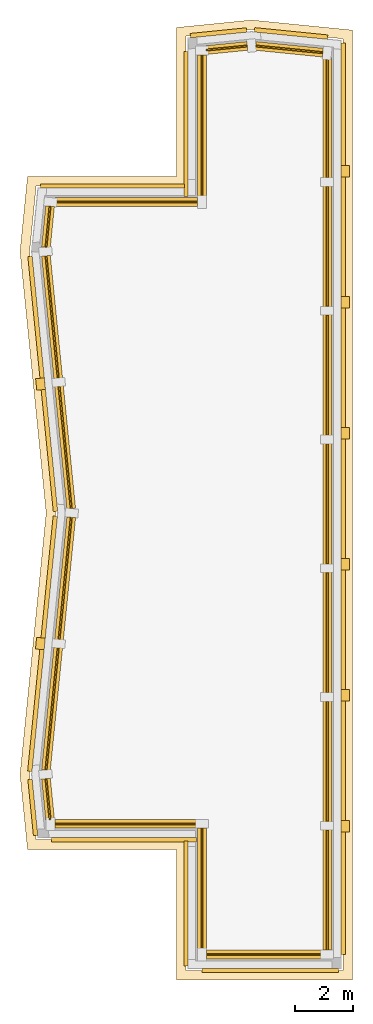
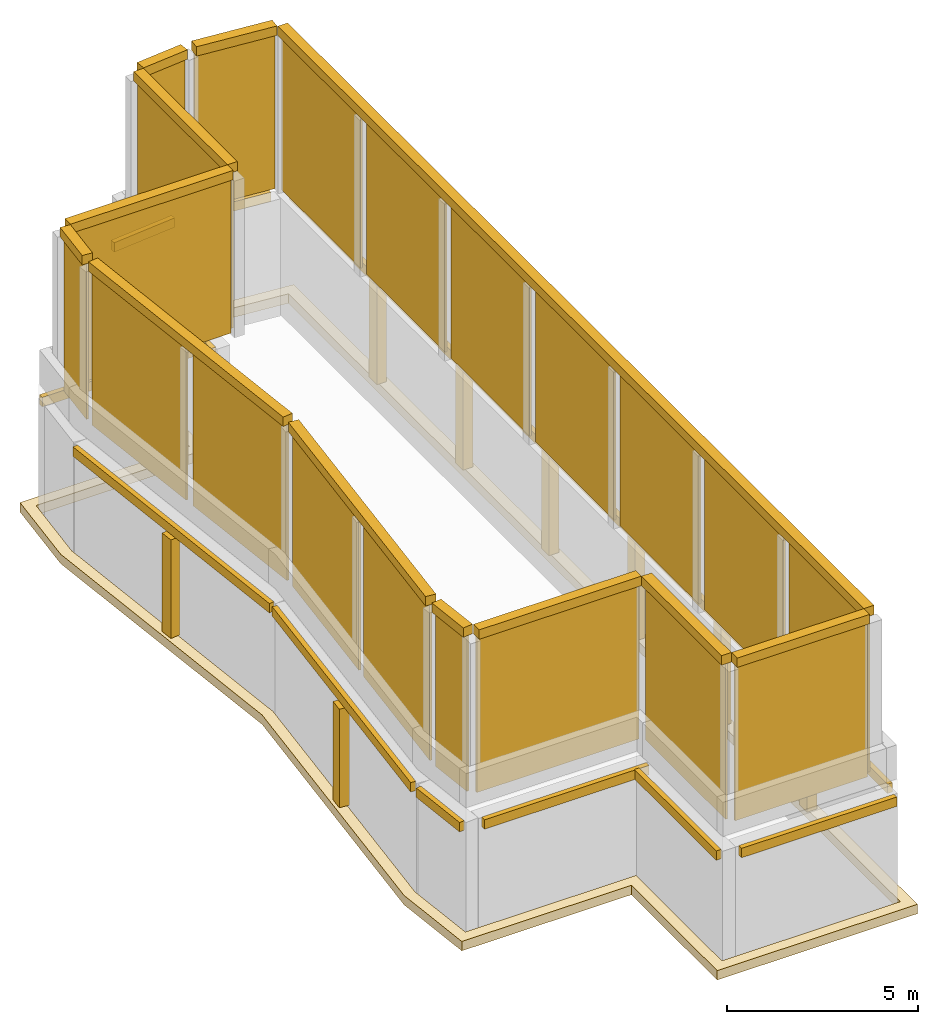
# One storey, part 2 of 2: 52 coverings.
"""IFC4 building model written with IfcOpenShell, lengths in metres."""

from ifc_helpers import new_model, si_unit, direction, frame, origin, origin_2d, place, context, subcontext, project, spatial, polyline, rectangle, outline, extrude, material, layer, layer_set, material_profile, profile_set, type_object, element, save


model = new_model("IFC4")

# Units and contexts
model_context = context("Model", 3, precision=1e-05, world=origin(), true_north=direction((0.0, 1.0)))
body_context = subcontext(model_context, "Body", "Model", "MODEL_VIEW")
ifc_project = project(units=[si_unit("LENGTHUNIT", "METRE"), si_unit("AREAUNIT", "SQUARE_METRE"), si_unit("VOLUMEUNIT", "CUBIC_METRE"), si_unit("PLANEANGLEUNIT", "RADIAN"), si_unit("MASSUNIT", "GRAM", prefix="KILO")], contexts=[model_context])

# Site, building, storey
site_placement = place(None, origin())
site = spatial("IfcSite", under=ifc_project, at=site_placement, CompositionType="ELEMENT")
building_placement = place(site_placement, origin())
building = spatial("IfcBuilding", under=site, at=building_placement, Name="Brondeck Convention Tower", CompositionType="ELEMENT")
storey_placement = place(building_placement, frame((0.0, 0.0, 315.300048828125)))
storey = spatial("IfcBuildingStorey", under=building, at=storey_placement, Name="ROOF 2", CompositionType="ELEMENT", Elevation=315.300048828125)

# Coverings
ifc_material_1 = material(Name="Precast concrete C50/60", Category="concrete")
ifc_material_profile = material_profile(ifc_material_1, rectangle(XDim=0.300048828125, YDim=0.300048828125, at=origin_2d()), Name="Crown cap 300 x 300 Precast concrete C50/60")
ifc_profile_set = profile_set([ifc_material_profile], Name="Precast concrete C50/60")
covering_type_1 = type_object("IfcCoveringType", Name="Crown cap 300 x 300 Precast concrete C50/60", PredefinedType="MOLDING", material=ifc_profile_set)
covering_1_placement = place(storey_placement, frame((7.445068359375, 29.794921875, 9.349853515625), z_axis=(1.0, 0.0, 0.0), x_axis=(0.0, 1.0, 0.0)))
element("IfcCovering", 1, at=covering_1_placement, inside=storey, type_object=covering_type_1, Name="ENV-CB-K1-T2-00", PredefinedType="MOLDING", context=body_context, shape_type="SweptSolid", body=[
    extrude(rectangle(XDim=0.300048828125, YDim=0.300048828125, at=origin_2d()), origin(), (0.0, 0.0, 1.0), 4.010009765625),
])
covering_2_placement = place(storey_placement, frame((11.60498046875, 29.945068359375, 9.349853515625), z_axis=(0.0, 1.0, 0.0), x_axis=(-1.0, 0.0, 0.0)))
element("IfcCovering", 2, at=covering_2_placement, inside=storey, type_object=covering_type_1, Name="ENV-CB-K1-T2-01", PredefinedType="MOLDING", context=body_context, shape_type="SweptSolid", body=[
    extrude(rectangle(XDim=0.300048828125, YDim=0.300048828125, at=origin_2d()), origin(), (0.0, 0.0, 1.0), 30.735595703125),
])
covering_3_placement = place(storey_placement, frame((11.455810546875, 60.845458984375, 9.349853515625), z_axis=(-0.995034061162, 0.09953500453, 0.0), x_axis=(-0.09953500453, -0.995034061162, 0.0)))
element("IfcCovering", 3, at=covering_3_placement, inside=storey, type_object=covering_type_1, Name="ENV-CB-K1-T2-02", PredefinedType="MOLDING", context=body_context, shape_type="SweptSolid", body=[
    extrude(rectangle(XDim=0.300048828125, YDim=0.300048828125, at=origin_2d()), origin(), (0.0, 0.0, 1.0), 2.31787109375),
])
covering_4_placement = place(storey_placement, frame((8.8505859375, 61.076171875, 9.349853515625), z_axis=(-0.99503719021, -0.099503719021, 0.0), x_axis=(0.099503719021, -0.99503719021, 0.0)))
element("IfcCovering", 4, at=covering_4_placement, inside=storey, type_object=covering_type_1, Name="ENV-CB-K1-T2-03", PredefinedType="MOLDING", context=body_context, shape_type="SweptSolid", body=[
    extrude(rectangle(XDim=0.300048828125, YDim=0.300048828125, at=origin_2d()), origin(), (0.0, 0.0, 1.0), 1.413330078125),
])
for number, where, z_axis, x_axis, name in (
    (5, (7.294921875, 60.7705078125, 9.349853515625), (0.0, -1.0, 0.0), (1.0, 0.0, 0.0), "ENV-CB-K1-T2-04"),
    (6, (7.14501953125, 55.705078125, 9.349853515625), (-1.0, 0.0, 0.0), (0.0, -1.0, 0.0), "ENV-CB-K1-T2-05"),
):
    element("IfcCovering", number, at=place(storey_placement, frame(where, z_axis=z_axis, x_axis=x_axis)), inside=storey, type_object=covering_type_1, Name=name, PredefinedType="MOLDING", context=body_context, shape_type="SweptSolid", body=[
        extrude(rectangle(XDim=0.300048828125, YDim=0.300048828125, at=origin_2d()), origin(), (0.0, 0.0, 1.0), 4.91552734375),
    ])
covering_5_placement = place(storey_placement, frame((2.064453125, 55.5556640625, 9.349853515625), z_axis=(-0.099503719021, -0.99503719021, 0.0), x_axis=(0.99503719021, -0.099503719021, 0.0)))
element("IfcCovering", 7, at=covering_5_placement, inside=storey, type_object=covering_type_1, Name="ENV-CB-K1-T2-06", PredefinedType="MOLDING", context=body_context, shape_type="SweptSolid", body=[
    extrude(rectangle(XDim=0.300048828125, YDim=0.300048828125, at=origin_2d()), origin(), (0.0, 0.0, 1.0), 1.413330078125),
])
for number, where, z_axis, x_axis, name in (
    (8, (1.923828125, 53.8505859375, 9.349853515625), (0.099503719021, -0.99503719021, 0.0), (0.99503719021, 0.099503719021, 0.0), "ENV-CB-K1-T2-07"),
    (9, (2.7939453125, 44.8505859375, 9.349853515625), (-0.099503719021, -0.99503719021, 0.0), (0.99503719021, -0.099503719021, 0.0), "ENV-CB-K1-T2-08"),
):
    element("IfcCovering", number, at=place(storey_placement, frame(where, z_axis=z_axis, x_axis=x_axis)), inside=storey, type_object=covering_type_1, Name=name, PredefinedType="MOLDING", context=body_context, shape_type="SweptSolid", body=[
        extrude(rectangle(XDim=0.300048828125, YDim=0.300048828125, at=origin_2d()), origin(), (0.0, 0.0, 1.0), 8.74462890625),
    ])
covering_6_placement = place(storey_placement, frame((1.923828125, 35.8505859375, 9.349853515625), z_axis=(0.099503719021, -0.99503719021, 0.0), x_axis=(0.99503719021, 0.099503719021, 0.0)))
element("IfcCovering", 10, at=covering_6_placement, inside=storey, type_object=covering_type_1, Name="ENV-CB-K1-T2-09", PredefinedType="MOLDING", context=body_context, shape_type="SweptSolid", body=[
    extrude(rectangle(XDim=0.300048828125, YDim=0.300048828125, at=origin_2d()), origin(), (0.0, 0.0, 1.0), 1.413330078125),
])
covering_7_placement = place(storey_placement, frame((2.2294921875, 34.294921875, 9.349853515625), z_axis=(1.0, 0.0, 0.0), x_axis=(0.0, 1.0, 0.0)))
element("IfcCovering", 11, at=covering_7_placement, inside=storey, type_object=covering_type_1, Name="ENV-CB-K1-T2-10", PredefinedType="MOLDING", context=body_context, shape_type="SweptSolid", body=[
    extrude(rectangle(XDim=0.300048828125, YDim=0.300048828125, at=origin_2d()), origin(), (0.0, 0.0, 1.0), 4.91552734375),
])
covering_8_placement = place(storey_placement, frame((7.294921875, 34.14501953125, 9.349853515625), z_axis=(0.0, -1.0, 0.0), x_axis=(1.0, 0.0, 0.0)))
element("IfcCovering", 12, at=covering_8_placement, inside=storey, type_object=covering_type_1, Name="ENV-CB-K1-T2-11", PredefinedType="MOLDING", context=body_context, shape_type="SweptSolid", body=[
    extrude(rectangle(XDim=0.300048828125, YDim=0.300048828125, at=origin_2d()), origin(), (0.0, 0.0, 1.0), 4.199951171875),
])
ifc_material_2 = material(Name="Aluminium, bronze anodised", Category="aluminium")
ifc_layer_1 = layer(ifc_material_2, 0.06005859375)
ifc_layer_set_1 = layer_set([ifc_layer_1], Name="Crown louvre panel, bronze anodised aluminium")
covering_type_2 = type_object("IfcCoveringType", Name="Crown louvre panel, bronze anodised aluminium", PredefinedType="CLADDING", material=ifc_layer_set_1)
covering_9_placement = place(storey_placement, frame((0.0, 0.0, 4.219970703125)))
element("IfcCovering", 13, at=covering_9_placement, inside=storey, type_object=covering_type_2, Name="ENV-CL-K1-T2-00-0", PredefinedType="CLADDING", context=body_context, shape_type="SweptSolid", body=[
    extrude(outline(polyline([(11.455078125, 29.824951171875), (7.445068359375, 29.824951171875), (7.445068359375, 29.764892578125), (11.455078125, 29.764892578125), (11.455078125, 29.824951171875)])), origin(), (0.0, 0.0, 1.0), 4.97998046875),
])
covering_10_placement = place(storey_placement, frame((0.0, 0.0, 4.219970703125)))
element("IfcCovering", 14, at=covering_10_placement, inside=storey, type_object=covering_type_2, Name="ENV-CL-K1-T2-01-0", PredefinedType="CLADDING", context=body_context, shape_type="SweptSolid", body=[
    extrude(outline(polyline([(11.574951171875, 34.07861328125), (11.574951171875, 29.945068359375), (11.635009765625, 29.945068359375), (11.635009765625, 34.07861328125), (11.574951171875, 34.07861328125)])), origin(), (0.0, 0.0, 1.0), 4.97998046875),
])
covering_11_placement = place(storey_placement, frame((0.0, 0.0, 4.219970703125)))
element("IfcCovering", 15, at=covering_11_placement, inside=storey, type_object=covering_type_2, Name="ENV-CL-K1-T2-01-1", PredefinedType="CLADDING", context=body_context, shape_type="SweptSolid", body=[
    extrude(outline(polyline([(11.574951171875, 38.51220703125), (11.574951171875, 34.378662109375), (11.635009765625, 34.378662109375), (11.635009765625, 38.51220703125), (11.574951171875, 38.51220703125)])), origin(), (0.0, 0.0, 1.0), 4.97998046875),
])
covering_12_placement = place(storey_placement, frame((0.0, 0.0, 4.219970703125)))
element("IfcCovering", 16, at=covering_12_placement, inside=storey, type_object=covering_type_2, Name="ENV-CL-K1-T2-01-2", PredefinedType="CLADDING", context=body_context, shape_type="SweptSolid", body=[
    extrude(outline(polyline([(11.574951171875, 42.946044921875), (11.574951171875, 38.812255859375), (11.635009765625, 38.812255859375), (11.635009765625, 42.946044921875), (11.574951171875, 42.946044921875)])), origin(), (0.0, 0.0, 1.0), 4.97998046875),
])
covering_13_placement = place(storey_placement, frame((0.0, 0.0, 4.219970703125)))
element("IfcCovering", 17, at=covering_13_placement, inside=storey, type_object=covering_type_2, Name="ENV-CL-K1-T2-01-3", PredefinedType="CLADDING", context=body_context, shape_type="SweptSolid", body=[
    extrude(outline(polyline([(11.574951171875, 47.379638671875), (11.574951171875, 43.24609375), (11.635009765625, 43.24609375), (11.635009765625, 47.379638671875), (11.574951171875, 47.379638671875)])), origin(), (0.0, 0.0, 1.0), 4.97998046875),
])
covering_14_placement = place(storey_placement, frame((0.0, 0.0, 4.219970703125)))
element("IfcCovering", 18, at=covering_14_placement, inside=storey, type_object=covering_type_2, Name="ENV-CL-K1-T2-01-4", PredefinedType="CLADDING", context=body_context, shape_type="SweptSolid", body=[
    extrude(outline(polyline([(11.574951171875, 51.813232421875), (11.574951171875, 47.6796875), (11.635009765625, 47.6796875), (11.635009765625, 51.813232421875), (11.574951171875, 51.813232421875)])), origin(), (0.0, 0.0, 1.0), 4.97998046875),
])
covering_15_placement = place(storey_placement, frame((0.0, 0.0, 4.219970703125)))
element("IfcCovering", 19, at=covering_15_placement, inside=storey, type_object=covering_type_2, Name="ENV-CL-K1-T2-01-5", PredefinedType="CLADDING", context=body_context, shape_type="SweptSolid", body=[
    extrude(outline(polyline([(11.574951171875, 56.246826171875), (11.574951171875, 52.11328125), (11.635009765625, 52.11328125), (11.635009765625, 56.246826171875), (11.574951171875, 56.246826171875)])), origin(), (0.0, 0.0, 1.0), 4.97998046875),
])
covering_16_placement = place(storey_placement, frame((0.0, 0.0, 4.219970703125)))
element("IfcCovering", 20, at=covering_16_placement, inside=storey, type_object=covering_type_2, Name="ENV-CL-K1-T2-01-6", PredefinedType="CLADDING", context=body_context, shape_type="SweptSolid", body=[
    extrude(outline(polyline([(11.574951171875, 60.6806640625), (11.574951171875, 56.546875), (11.635009765625, 56.546875), (11.635009765625, 60.6806640625), (11.574951171875, 60.6806640625)])), origin(), (0.0, 0.0, 1.0), 4.97998046875),
])
covering_17_placement = place(storey_placement, frame((0.0, 0.0, 4.219970703125)))
element("IfcCovering", 21, at=covering_17_placement, inside=storey, type_object=covering_type_2, Name="ENV-CL-K1-T2-02-0", PredefinedType="CLADDING", context=body_context, shape_type="SweptSolid", body=[
    extrude(outline(polyline([(9.146240234375, 61.04638671875), (11.452880859375, 60.815673828125), (11.458740234375, 60.875244140625), (9.152099609375, 61.10595703125), (9.146240234375, 61.04638671875)])), origin(), (0.0, 0.0, 1.0), 4.97998046875),
])
covering_18_placement = place(storey_placement, frame((0.0, 0.0, 4.219970703125)))
element("IfcCovering", 22, at=covering_18_placement, inside=storey, type_object=covering_type_2, Name="ENV-CL-K1-T2-03-0", PredefinedType="CLADDING", context=body_context, shape_type="SweptSolid", body=[
    extrude(outline(polyline([(7.447265625, 60.905517578125), (8.853759765625, 61.04638671875), (8.847900390625, 61.10595703125), (7.44140625, 60.96533203125), (7.447265625, 60.905517578125)])), origin(), (0.0, 0.0, 1.0), 4.97998046875),
])
covering_19_placement = place(storey_placement, frame((0.0, 0.0, 4.219970703125)))
element("IfcCovering", 23, at=covering_19_placement, inside=storey, type_object=covering_type_2, Name="ENV-CL-K1-T2-04-0", PredefinedType="CLADDING", context=body_context, shape_type="SweptSolid", body=[
    extrude(outline(polyline([(7.324951171875, 55.85498046875), (7.324951171875, 60.7705078125), (7.264892578125, 60.7705078125), (7.264892578125, 55.85498046875), (7.324951171875, 55.85498046875)])), origin(), (0.0, 0.0, 1.0), 4.97998046875),
])
covering_20_placement = place(storey_placement, frame((0.0, 0.0, 4.219970703125)))
element("IfcCovering", 24, at=covering_20_placement, inside=storey, type_object=covering_type_2, Name="ENV-CL-K1-T2-05-0", PredefinedType="CLADDING", context=body_context, shape_type="SweptSolid", body=[
    extrude(outline(polyline([(2.2294921875, 55.675048828125), (7.14501953125, 55.675048828125), (7.14501953125, 55.735107421875), (2.2294921875, 55.735107421875), (2.2294921875, 55.675048828125)])), origin(), (0.0, 0.0, 1.0), 4.97998046875),
])
covering_21_placement = place(storey_placement, frame((0.0, 0.0, 4.219970703125)))
element("IfcCovering", 25, at=covering_21_placement, inside=storey, type_object=covering_type_2, Name="ENV-CL-K1-T2-06-0", PredefinedType="CLADDING", context=body_context, shape_type="SweptSolid", body=[
    extrude(outline(polyline([(1.95361328125, 54.146240234375), (2.094482421875, 55.552734375), (2.03466796875, 55.55859375), (1.89404296875, 54.152099609375), (1.95361328125, 54.146240234375)])), origin(), (0.0, 0.0, 1.0), 4.97998046875),
])
covering_22_placement = place(storey_placement, frame((0.0, 0.0, 4.219970703125)))
element("IfcCovering", 26, at=covering_22_placement, inside=storey, type_object=covering_type_2, Name="ENV-CL-K1-T2-07-0", PredefinedType="CLADDING", context=body_context, shape_type="SweptSolid", body=[
    extrude(outline(polyline([(2.373779296875, 49.652099609375), (1.95361328125, 53.853759765625), (1.89404296875, 53.847900390625), (2.314208984375, 49.646240234375), (2.373779296875, 49.652099609375)])), origin(), (0.0, 0.0, 1.0), 4.97998046875),
])
covering_23_placement = place(storey_placement, frame((0.0, 0.0, 4.219970703125)))
element("IfcCovering", 27, at=covering_23_placement, inside=storey, type_object=covering_type_2, Name="ENV-CL-K1-T2-07-1", PredefinedType="CLADDING", context=body_context, shape_type="SweptSolid", body=[
    extrude(outline(polyline([(2.823974609375, 45.152099609375), (2.40380859375, 49.353759765625), (2.343994140625, 49.347900390625), (2.76416015625, 45.146240234375), (2.823974609375, 45.152099609375)])), origin(), (0.0, 0.0, 1.0), 4.97998046875),
])
covering_24_placement = place(storey_placement, frame((0.0, 0.0, 4.219970703125)))
element("IfcCovering", 28, at=covering_24_placement, inside=storey, type_object=covering_type_2, Name="ENV-CL-K1-T2-08-0", PredefinedType="CLADDING", context=body_context, shape_type="SweptSolid", body=[
    extrude(outline(polyline([(2.40380859375, 40.646240234375), (2.823974609375, 44.847900390625), (2.76416015625, 44.853759765625), (2.343994140625, 40.652099609375), (2.40380859375, 40.646240234375)])), origin(), (0.0, 0.0, 1.0), 4.97998046875),
])
covering_25_placement = place(storey_placement, frame((0.0, 0.0, 4.219970703125)))
element("IfcCovering", 29, at=covering_25_placement, inside=storey, type_object=covering_type_2, Name="ENV-CL-K1-T2-08-1", PredefinedType="CLADDING", context=body_context, shape_type="SweptSolid", body=[
    extrude(outline(polyline([(1.95361328125, 36.146240234375), (2.373779296875, 40.347900390625), (2.314208984375, 40.353759765625), (1.89404296875, 36.152099609375), (1.95361328125, 36.146240234375)])), origin(), (0.0, 0.0, 1.0), 4.97998046875),
])
covering_26_placement = place(storey_placement, frame((0.0, 0.0, 4.219970703125)))
element("IfcCovering", 30, at=covering_26_placement, inside=storey, type_object=covering_type_2, Name="ENV-CL-K1-T2-09-0", PredefinedType="CLADDING", context=body_context, shape_type="SweptSolid", body=[
    extrude(outline(polyline([(2.094482421875, 34.447265625), (1.95361328125, 35.853759765625), (1.89404296875, 35.847900390625), (2.03466796875, 34.44140625), (2.094482421875, 34.447265625)])), origin(), (0.0, 0.0, 1.0), 4.97998046875),
])
covering_27_placement = place(storey_placement, frame((0.0, 0.0, 4.219970703125)))
element("IfcCovering", 31, at=covering_27_placement, inside=storey, type_object=covering_type_2, Name="ENV-CL-K1-T2-10-0", PredefinedType="CLADDING", context=body_context, shape_type="SweptSolid", body=[
    extrude(outline(polyline([(7.14501953125, 34.324951171875), (2.2294921875, 34.324951171875), (2.2294921875, 34.264892578125), (7.14501953125, 34.264892578125), (7.14501953125, 34.324951171875)])), origin(), (0.0, 0.0, 1.0), 4.97998046875),
])
covering_28_placement = place(storey_placement, frame((0.0, 0.0, 4.219970703125)))
element("IfcCovering", 32, at=covering_28_placement, inside=storey, type_object=covering_type_2, Name="ENV-CL-K1-T2-11-0", PredefinedType="CLADDING", context=body_context, shape_type="SweptSolid", body=[
    extrude(outline(polyline([(7.324951171875, 29.945068359375), (7.324951171875, 34.14501953125), (7.264892578125, 34.14501953125), (7.264892578125, 29.945068359375), (7.324951171875, 29.945068359375)])), origin(), (0.0, 0.0, 1.0), 4.97998046875),
])
ifc_material_3 = material(Name="Precast concrete C50/60 bronze finish", Category="concrete")
ifc_layer_2 = layer(ifc_material_3, 0.300048828125)
ifc_layer_set_2 = layer_set([ifc_layer_2], Name="Crown pilaster 400x300")
covering_type_3 = type_object("IfcCoveringType", Name="Crown pilaster 400x300", PredefinedType="CLADDING", material=ifc_layer_set_2)
covering_29_placement = place(storey_placement, frame((0.0, 0.0, 0.300048828125)))
element("IfcCovering", 33, at=covering_29_placement, inside=storey, type_object=covering_type_3, Name="ENV-CP-K1-T2-02-01", PredefinedType="CLADDING", context=body_context, shape_type="SweptSolid", body=[
    extrude(outline(polyline([(12.3798828125, 56.5673828125), (12.3798828125, 56.96728515625), (12.080078125, 56.96728515625), (12.080078125, 56.5673828125), (12.3798828125, 56.5673828125)])), origin(), (0.0, 0.0, 1.0), 3.14990234375),
])
covering_30_placement = place(storey_placement, frame((0.0, 0.0, 0.300048828125)))
element("IfcCovering", 34, at=covering_30_placement, inside=storey, type_object=covering_type_3, Name="ENV-CP-K1-T2-02-02", PredefinedType="CLADDING", context=body_context, shape_type="SweptSolid", body=[
    extrude(outline(polyline([(12.3798828125, 52.05615234375), (12.3798828125, 52.4560546875), (12.080078125, 52.4560546875), (12.080078125, 52.05615234375), (12.3798828125, 52.05615234375)])), origin(), (0.0, 0.0, 1.0), 3.14990234375),
])
covering_31_placement = place(storey_placement, frame((0.0, 0.0, 0.300048828125)))
element("IfcCovering", 35, at=covering_31_placement, inside=storey, type_object=covering_type_3, Name="ENV-CP-K1-T2-02-03", PredefinedType="CLADDING", context=body_context, shape_type="SweptSolid", body=[
    extrude(outline(polyline([(12.3798828125, 47.544921875), (12.3798828125, 47.94482421875), (12.080078125, 47.94482421875), (12.080078125, 47.544921875), (12.3798828125, 47.544921875)])), origin(), (0.0, 0.0, 1.0), 3.14990234375),
])
covering_32_placement = place(storey_placement, frame((0.0, 0.0, 0.300048828125)))
element("IfcCovering", 36, at=covering_32_placement, inside=storey, type_object=covering_type_3, Name="ENV-CP-K1-T2-02-04", PredefinedType="CLADDING", context=body_context, shape_type="SweptSolid", body=[
    extrude(outline(polyline([(12.3798828125, 43.03369140625), (12.3798828125, 43.43359375), (12.080078125, 43.43359375), (12.080078125, 43.03369140625), (12.3798828125, 43.03369140625)])), origin(), (0.0, 0.0, 1.0), 3.14990234375),
])
covering_33_placement = place(storey_placement, frame((0.0, 0.0, 0.300048828125)))
element("IfcCovering", 37, at=covering_33_placement, inside=storey, type_object=covering_type_3, Name="ENV-CP-K1-T2-02-05", PredefinedType="CLADDING", context=body_context, shape_type="SweptSolid", body=[
    extrude(outline(polyline([(12.3798828125, 38.5224609375), (12.3798828125, 38.92236328125), (12.080078125, 38.92236328125), (12.080078125, 38.5224609375), (12.3798828125, 38.5224609375)])), origin(), (0.0, 0.0, 1.0), 3.14990234375),
])
covering_34_placement = place(storey_placement, frame((0.0, 0.0, 0.300048828125)))
element("IfcCovering", 38, at=covering_34_placement, inside=storey, type_object=covering_type_3, Name="ENV-CP-K1-T2-02-06", PredefinedType="CLADDING", context=body_context, shape_type="SweptSolid", body=[
    extrude(outline(polyline([(12.3798828125, 34.01123046875), (12.3798828125, 34.4111328125), (12.080078125, 34.4111328125), (12.080078125, 34.01123046875), (12.3798828125, 34.01123046875)])), origin(), (0.0, 0.0, 1.0), 3.14990234375),
])
covering_35_placement = place(storey_placement, frame((0.0, 0.0, 0.300048828125)))
element("IfcCovering", 39, at=covering_35_placement, inside=storey, type_object=covering_type_3, Name="ENV-CP-K1-T2-08-01", PredefinedType="CLADDING", context=body_context, shape_type="SweptSolid", body=[
    extrude(outline(polyline([(1.568115234375, 49.620361328125), (1.60791015625, 49.222412109375), (1.90625, 49.252197265625), (1.866455078125, 49.650146484375), (1.568115234375, 49.620361328125)])), origin(), (0.0, 0.0, 1.0), 3.14990234375),
])
covering_36_placement = place(storey_placement, frame((0.0, 0.0, 0.300048828125)))
element("IfcCovering", 40, at=covering_36_placement, inside=storey, type_object=covering_type_3, Name="ENV-CP-K1-T2-09-01", PredefinedType="CLADDING", context=body_context, shape_type="SweptSolid", body=[
    extrude(outline(polyline([(1.601806640625, 40.7158203125), (1.56201171875, 40.31787109375), (1.8603515625, 40.2880859375), (1.900146484375, 40.68603515625), (1.601806640625, 40.7158203125)])), origin(), (0.0, 0.0, 1.0), 3.14990234375),
])
ifc_layer_3 = layer(ifc_material_3, 0.14990234375)
ifc_layer_set_3 = layer_set([ifc_layer_3], Name="Crown tier cornice, precast")
covering_type_4 = type_object("IfcCoveringType", Name="Crown tier cornice, precast", PredefinedType="MOLDING", material=ifc_layer_set_3)
covering_37_placement = place(storey_placement, frame((0.0, 0.0, 3.449951171875)))
element("IfcCovering", 41, at=covering_37_placement, inside=storey, type_object=covering_type_4, Name="ENV-CC-K1-T2-01", PredefinedType="MOLDING", context=body_context, shape_type="SweptSolid", body=[
    extrude(outline(polyline([(7.300048828125, 29.169921875), (12.0, 29.169921875), (12.0, 29.320068359375), (7.300048828125, 29.320068359375), (7.300048828125, 29.169921875)])), origin(), (0.0, 0.0, 1.0), 0.300048828125),
])
covering_38_placement = place(storey_placement, frame((0.0, 0.0, 3.449951171875)))
element("IfcCovering", 42, at=covering_38_placement, inside=storey, type_object=covering_type_4, Name="ENV-CC-K1-T2-02", PredefinedType="MOLDING", context=body_context, shape_type="SweptSolid", body=[
    extrude(outline(polyline([(12.22998046875, 29.800048828125), (12.22998046875, 61.178466796875), (12.080078125, 61.178466796875), (12.080078125, 29.800048828125), (12.22998046875, 29.800048828125)])), origin(), (0.0, 0.0, 1.0), 0.300048828125),
])
covering_39_placement = place(storey_placement, frame((0.0, 0.0, 3.449951171875)))
element("IfcCovering", 43, at=covering_39_placement, inside=storey, type_object=covering_type_4, Name="ENV-CC-K1-T2-03", PredefinedType="MOLDING", context=body_context, shape_type="SweptSolid", body=[
    extrude(outline(polyline([(11.62841796875, 61.456298828125), (9.1123046875, 61.7080078125), (9.097412109375, 61.55859375), (11.61328125, 61.30712890625), (11.62841796875, 61.456298828125)])), origin(), (0.0, 0.0, 1.0), 0.300048828125),
])
covering_40_placement = place(storey_placement, frame((0.0, 0.0, 3.449951171875)))
element("IfcCovering", 44, at=covering_40_placement, inside=storey, type_object=covering_type_4, Name="ENV-CC-K1-T2-04", PredefinedType="MOLDING", context=body_context, shape_type="SweptSolid", body=[
    extrude(outline(polyline([(8.825927734375, 61.701904296875), (6.88671875, 61.5078125), (6.901611328125, 61.358642578125), (8.8408203125, 61.552490234375), (8.825927734375, 61.701904296875)])), origin(), (0.0, 0.0, 1.0), 0.300048828125),
])
covering_41_placement = place(storey_placement, frame((0.0, 0.0, 3.449951171875)))
element("IfcCovering", 45, at=covering_41_placement, inside=storey, type_object=covering_type_4, Name="ENV-CC-K1-T2-05", PredefinedType="MOLDING", context=body_context, shape_type="SweptSolid", body=[
    extrude(outline(polyline([(6.669921875, 60.881591796875), (6.669921875, 55.89990234375), (6.820068359375, 55.89990234375), (6.820068359375, 60.881591796875), (6.669921875, 60.881591796875)])), origin(), (0.0, 0.0, 1.0), 0.300048828125),
])
covering_42_placement = place(storey_placement, frame((0.0, 0.0, 3.449951171875)))
element("IfcCovering", 46, at=covering_42_placement, inside=storey, type_object=covering_type_4, Name="ENV-CC-K1-T2-06", PredefinedType="MOLDING", context=body_context, shape_type="SweptSolid", body=[
    extrude(outline(polyline([(6.699951171875, 56.330078125), (1.7314453125, 56.330078125), (1.7314453125, 56.179931640625), (6.699951171875, 56.179931640625), (6.699951171875, 56.330078125)])), origin(), (0.0, 0.0, 1.0), 0.300048828125),
])
covering_43_placement = place(storey_placement, frame((0.0, 0.0, 3.449951171875)))
element("IfcCovering", 47, at=covering_43_placement, inside=storey, type_object=covering_type_4, Name="ENV-CC-K1-T2-08", PredefinedType="MOLDING", context=body_context, shape_type="SweptSolid", body=[
    extrude(outline(polyline([(1.298095703125, 53.825927734375), (2.17626953125, 45.046875), (2.325439453125, 45.061767578125), (1.447509765625, 53.8408203125), (1.298095703125, 53.825927734375)])), origin(), (0.0, 0.0, 1.0), 0.300048828125),
])
covering_44_placement = place(storey_placement, frame((0.0, 0.0, 3.449951171875)))
element("IfcCovering", 48, at=covering_44_placement, inside=storey, type_object=covering_type_4, Name="ENV-CC-K1-T2-09", PredefinedType="MOLDING", context=body_context, shape_type="SweptSolid", body=[
    extrude(outline(polyline([(2.169921875, 44.8916015625), (1.2919921875, 36.1123046875), (1.44140625, 36.097412109375), (2.319091796875, 44.876708984375), (2.169921875, 44.8916015625)])), origin(), (0.0, 0.0, 1.0), 0.300048828125),
])
covering_45_placement = place(storey_placement, frame((0.0, 0.0, 3.449951171875)))
element("IfcCovering", 49, at=covering_45_placement, inside=storey, type_object=covering_type_4, Name="ENV-CC-K1-T2-10", PredefinedType="MOLDING", context=body_context, shape_type="SweptSolid", body=[
    extrude(outline(polyline([(1.298095703125, 35.825927734375), (1.4921875, 33.88671875), (1.641357421875, 33.901611328125), (1.447509765625, 35.8408203125), (1.298095703125, 35.825927734375)])), origin(), (0.0, 0.0, 1.0), 0.300048828125),
])
covering_46_placement = place(storey_placement, frame((0.0, 0.0, 3.449951171875)))
element("IfcCovering", 50, at=covering_46_placement, inside=storey, type_object=covering_type_4, Name="ENV-CC-K1-T2-11", PredefinedType="MOLDING", context=body_context, shape_type="SweptSolid", body=[
    extrude(outline(polyline([(2.118408203125, 33.669921875), (7.10009765625, 33.669921875), (7.10009765625, 33.820068359375), (2.118408203125, 33.820068359375), (2.118408203125, 33.669921875)])), origin(), (0.0, 0.0, 1.0), 0.300048828125),
])
covering_47_placement = place(storey_placement, frame((0.0, 0.0, 3.449951171875)))
element("IfcCovering", 51, at=covering_47_placement, inside=storey, type_object=covering_type_4, Name="ENV-CC-K1-T2-12", PredefinedType="MOLDING", context=body_context, shape_type="SweptSolid", body=[
    extrude(outline(polyline([(6.669921875, 33.701904296875), (6.669921875, 29.39990234375), (6.820068359375, 29.39990234375), (6.820068359375, 33.701904296875), (6.669921875, 33.701904296875)])), origin(), (0.0, 0.0, 1.0), 0.300048828125),
])
ifc_material_4 = material(Name="Bitumen membrane")
ifc_layer_4 = layer(ifc_material_4, 0.02001953125, Name="Waterproofing")
ifc_material_5 = material(Name="Mineral wool")
ifc_layer_5 = layer(ifc_material_5, 0.280029296875, Name="Insulation")
ifc_layer_set_4 = layer_set([ifc_layer_4, ifc_layer_5], Name="Roof membrane and insulation")
covering_type_5 = type_object("IfcCoveringType", Name="Roof membrane and insulation", PredefinedType="ROOFING", material=ifc_layer_set_4)
covering_48_placement = place(storey_placement, origin())
element("IfcCovering", 52, at=covering_48_placement, inside=storey, type_object=covering_type_5, Name="ENV-CT-K1-T1-RF1", PredefinedType="ROOFING", context=body_context, shape_type="SweptSolid", body=[
    extrude(outline(polyline([(1.28759765625, 33.419921875), (6.419921875, 33.419921875), (6.419921875, 28.919921875), (12.47998046875, 28.919921875), (12.47998046875, 61.622314453125), (9.0, 61.970458984375), (6.419921875, 61.71240234375), (6.419921875, 56.580078125), (1.28759765625, 56.580078125), (1.029541015625, 54.0), (1.9296875, 45.0), (1.029541015625, 36.0), (1.28759765625, 33.419921875)]), holes=[polyline([(12.14990234375, 61.32373046875), (12.14990234375, 29.25), (6.75, 29.25), (6.75, 33.75), (1.586181640625, 33.75), (1.361083984375, 36.0), (2.26123046875, 45.0), (1.361083984375, 54.0), (1.586181640625, 56.25), (6.75, 56.25), (6.75, 61.413818359375), (9.0, 61.638916015625), (12.14990234375, 61.32373046875)])]), origin(), (0.0, 0.0, 1.0), 0.300048828125),
])

save(model, "model.ifc")
